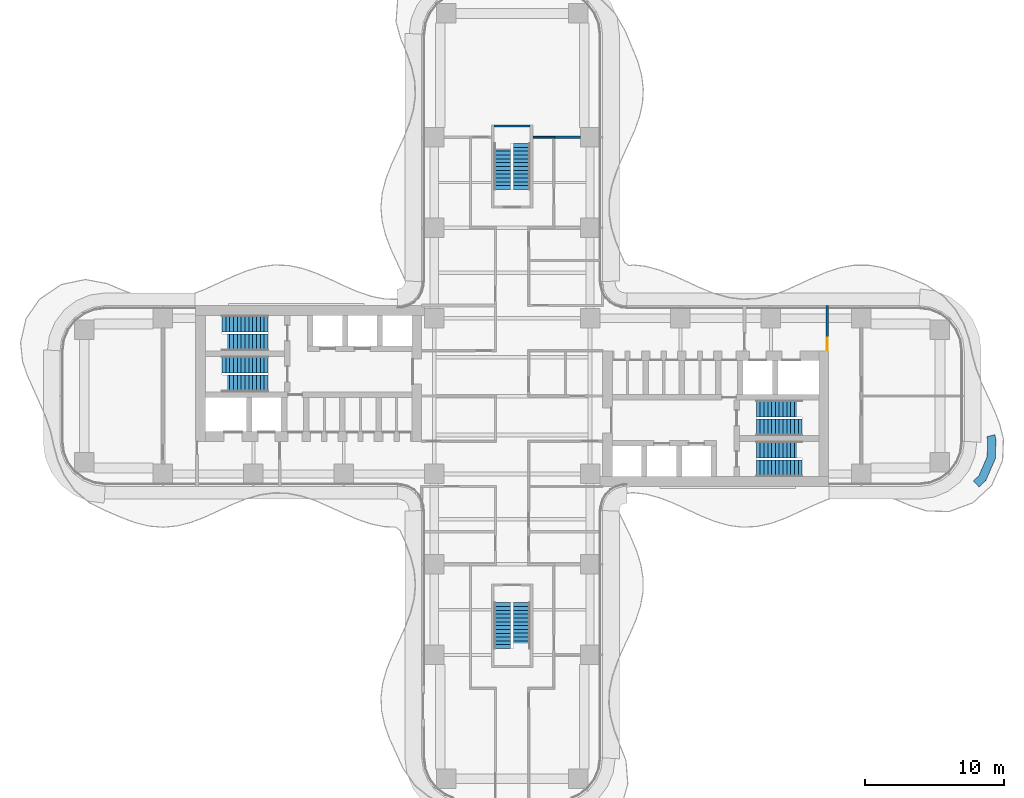
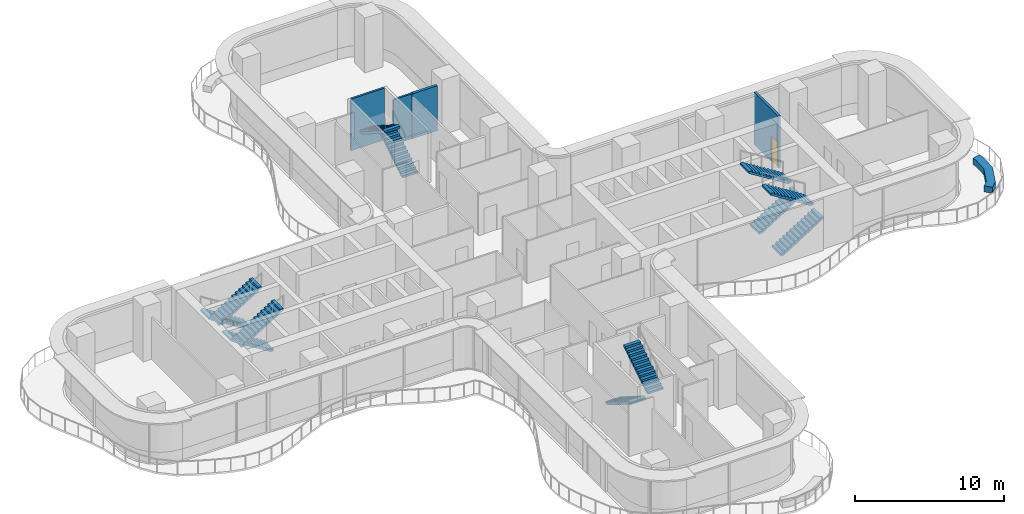
# One storey, part 20 of 22: 12 stair flights, 5 walls, 1 door, 1 opening, 6 elements without a shape of their own.
"""IFC4 building model written with IfcOpenShell, lengths in metres."""

from ifc_helpers import new_model, si_unit, direction, frame, frame_2d, origin, place, context, subcontext, project, spatial, polyline, rectangle, outline, extrude, source, transform, mapped, material, layer, layer_set, type_object, element, fill, aggregate, save


model = new_model("IFC4")

# Units and contexts
model_context = context("Model", 3, precision=1e-05, world=origin(), true_north=direction((0.0, 1.0)))
body_context = subcontext(model_context, "Body", "Model", "MODEL_VIEW")
ifc_project = project(units=[si_unit("LENGTHUNIT", "METRE"), si_unit("AREAUNIT", "SQUARE_METRE"), si_unit("VOLUMEUNIT", "CUBIC_METRE"), si_unit("PLANEANGLEUNIT", "RADIAN"), si_unit("MASSUNIT", "GRAM", prefix="KILO")], contexts=[model_context])

# Site, building, storey
site_placement = place(None, origin())
site = spatial("IfcSite", under=ifc_project, at=site_placement, CompositionType="ELEMENT")
building_placement = place(site_placement, origin())
building = spatial("IfcBuilding", under=site, at=building_placement, Name="Trellis Farm Tower", CompositionType="ELEMENT")
storey_placement = place(building_placement, frame((0.0, 0.0, 52.0)))
storey = spatial("IfcBuildingStorey", under=building, at=storey_placement, Name="L10", CompositionType="ELEMENT", Elevation=52.0)

# Wall
ifc_material_1 = material(Name="Sandstone faced masonry planter", Category="masonry")
ifc_layer_1 = layer(ifc_material_1, 0.60009765625)
ifc_layer_set_1 = layer_set([ifc_layer_1], Name="PLANTER BED 600")
wall_type_1 = type_object("IfcWallType", Name="PLANTER BED 600", PredefinedType="USERDEFINED", material=ifc_layer_set_1)
placement = place(storey_placement, origin())
element("IfcWall", 1, at=placement, inside=storey, type_object=wall_type_1, Name="PLANTER bed", ObjectType="PLANTER", PredefinedType="USERDEFINED", context=body_context, shape_type="SweptSolid", body=[
    extrude(outline(polyline([(34.734619140625, -4.50341796875), (34.04541015625, -6.08642578125), (33.555908203125, -6.5380859375), (33.14892578125, -6.097412109375), (33.545654296875, -5.731201171875), (34.138427734375, -4.369384765625), (34.17626953125, -3.1826171875), (34.109619140625, -2.92822265625), (34.690185546875, -2.776611328125), (34.77880859375, -3.114990234375), (34.734619140625, -4.50341796875)])), origin(), (0.0, 0.0, 1.0), 0.5),
])

# Wall, opening, door
ifc_material_2 = material(Name="Masonry blockwork", Category="masonry")
ifc_layer_2 = layer(ifc_material_2, 0.199951171875)
ifc_layer_set_2 = layer_set([ifc_layer_2], Name="FIRE LOBBY PARTITION 200 BLOCKWORK")
wall_type_2 = type_object("IfcWallType", Name="FIRE LOBBY PARTITION 200 BLOCKWORK", PredefinedType="PARTITIONING", material=ifc_layer_set_2)
shared_shape_1 = source(origin(), body_context, "Body", "SweptSolid", [
    extrude(rectangle(XDim=3.25, YDim=0.199951171875, at=frame_2d((1.625, 0.0))), origin(), (0.0, 0.0, 1.0), 4.25),
])
wall_2_placement = place(storey_placement, frame((22.64990234375, 3.25, 0.0), z_axis=(0.0, 0.0, 1.0), x_axis=(0.0, 1.0, 0.0)))
wall_2 = element("IfcWall", 2, at=wall_2_placement, inside=storey, type_object=wall_type_2, Name="Fire-fighting lobby partition", PredefinedType="PARTITIONING", context=body_context, shape_type="MappedRepresentation", body=[
    mapped(shared_shape_1, transform((0.0, 0.0, 0.0))),
])
shared_shape_2 = source(origin(), body_context, "Body", "SweptSolid", [
    extrude(rectangle(XDim=0.89990234375, YDim=2.10009765625, at=frame_2d((0.449951171875, 1.050048828125))), frame((0.0, 0.110107421875, 0.0), z_axis=(0.0, -1.0, 0.0), x_axis=(1.0, 0.0, 0.0)), (0.0, 0.0, 1.0), 0.22021484375),
])
opening_placement = place(wall_2_placement, frame((0.050048828125, 0.0, 0.0)))
opening = element("IfcOpeningElement", 3, at=opening_placement, cuts=wall_2, Name="Opening DC8", PredefinedType="OPENING", context=body_context, shape_type="MappedRepresentation", body=[
    mapped(shared_shape_2, transform((0.0, 0.0, 0.0))),
])
ifc_material_3 = material(Name="Steel", Category="steel")
door_type = type_object("IfcDoorType", Name="CORE FIRE DOOR 900 X 2100", OperationType="NOTDEFINED", PredefinedType="DOOR", material=ifc_material_3)
shared_shape_3 = source(origin(), body_context, "Body", "SweptSolid", [
    extrude(rectangle(XDim=0.89990234375, YDim=2.10009765625, at=frame_2d((0.449951171875, 1.050048828125))), frame((0.0, 0.02490234375, 0.0), z_axis=(0.0, -1.0, 0.0), x_axis=(1.0, 0.0, 0.0)), (0.0, 0.0, 1.0), 0.050048828125),
])
door_placement = place(opening_placement, origin())
door = element("IfcDoor", 4, at=door_placement, inside=storey, type_object=door_type, Name="Core door", OperationType="SINGLE_SWING_RIGHT", OverallHeight=2.10009765625, OverallWidth=0.89990234375, PredefinedType="DOOR", context=body_context, shape_type="MappedRepresentation", body=[
    mapped(shared_shape_3, transform((0.0, 0.0, 0.0))),
])
fill(opening, door)

# Walls
ifc_material_4 = material(Name="Concrete C80/95", Category="concrete")
ifc_layer_3 = layer(ifc_material_4, 0.14990234375)
ifc_layer_set_3 = layer_set([ifc_layer_3], Name="CORE STAIR ENCLOSURE WALL 150 CONCRETE C80/95")
wall_type_3 = type_object("IfcWallType", Name="CORE STAIR ENCLOSURE WALL 150 CONCRETE C80/95", PredefinedType="SHEAR", material=ifc_layer_set_3)
shared_shape_4 = source(origin(), body_context, "Body", "SweptSolid", [
    extrude(rectangle(XDim=2.60009765625, YDim=0.14990234375, at=frame_2d((1.300048828125, 0.0))), origin(), (0.0, 0.0, 1.0), 4.25),
])
wall_3_placement = place(storey_placement, frame((-1.300048828125, 19.425048828125, 0.0), z_axis=(0.0, 0.0, 1.0), x_axis=(1.0, 0.0, 0.0)))
element("IfcWall", 5, at=wall_3_placement, inside=storey, type_object=wall_type_3, Name="Stair enclosure wall", PredefinedType="SHEAR", context=body_context, shape_type="MappedRepresentation", body=[
    mapped(shared_shape_4, transform((0.0, 0.0, 0.0))),
])
ifc_material_5 = material(Name="Plasterboard on steel studs, mineral wool", Category="steel")
ifc_layer_4 = layer(ifc_material_5, 0.125)
ifc_layer_set_4 = layer_set([ifc_layer_4], Name="PARTITION 125 STUD EI 60")
wall_type_4 = type_object("IfcWallType", Name="PARTITION 125 STUD EI 60", PredefinedType="PARTITIONING", material=ifc_layer_set_4)
shared_shape_5 = source(origin(), body_context, "Body", "SweptSolid", [
    extrude(rectangle(XDim=1.5625, YDim=0.125, at=frame_2d((0.78125, 0.0))), origin(), (0.0, 0.0, 1.0), 3.69677734375),
])
wall_4_placement = place(storey_placement, frame((1.5, 18.60009765625, 0.0), z_axis=(0.0, 0.0, 1.0), x_axis=(1.0, 0.0, 0.0)))
element("IfcWall", 6, at=wall_4_placement, inside=storey, type_object=wall_type_4, Name="Partition PW1", PredefinedType="PARTITIONING", context=body_context, shape_type="MappedRepresentation", body=[
    mapped(shared_shape_5, transform((0.0, 0.0, 0.0))),
])
ifc_material_6 = material(Name="Lightweight blockwork, plastered", Category="masonry")
ifc_layer_5 = layer(ifc_material_6, 0.199951171875)
ifc_layer_set_5 = layer_set([ifc_layer_5], Name="BLOCK WALL 200 EI 120")
wall_type_5 = type_object("IfcWallType", Name="BLOCK WALL 200 EI 120", PredefinedType="PARTITIONING", material=ifc_layer_set_5)
shared_shape_6 = source(origin(), body_context, "Body", "SweptSolid", [
    extrude(rectangle(XDim=1.96240234375, YDim=0.199951171875, at=frame_2d((0.981201171875, 0.0))), origin(), (0.0, 0.0, 1.0), 3.69677734375),
])
wall_5_placement = place(storey_placement, frame((2.9375, 18.60009765625, 0.0), z_axis=(0.0, 0.0, 1.0), x_axis=(1.0, 0.0, 0.0)))
element("IfcWall", 7, at=wall_5_placement, inside=storey, type_object=wall_type_5, Name="Partition PW3", PredefinedType="PARTITIONING", context=body_context, shape_type="MappedRepresentation", body=[
    mapped(shared_shape_6, transform((0.0, 0.0, 0.0))),
])

# Stair, stair flights
ifc_material_7 = material(Name="Concrete C50/60", Category="concrete")
stair_type = type_object("IfcStairType", Name="CORE EXIT STAIR 26 RISERS 173 MM", PredefinedType="HALF_TURN_STAIR", material=ifc_material_7)
stair_1 = element("IfcStair", 8, at=placement, inside=storey, type_object=stair_type, Name="Exit stair N", PredefinedType="HALF_TURN_STAIR")
stair_flight_type = type_object("IfcStairFlightType", Name="STAIR FLIGHT 13 RISERS 173 MM", PredefinedType="STRAIGHT", material=ifc_material_7)
shared_shape_7 = source(origin(), body_context, "Body", "SweptSolid", [
    extrude(outline(polyline([(0.0, 0.0), (0.0, 0.173095703125), (0.27490234375, 0.173095703125), (0.27490234375, 0.34619140625), (0.550048828125, 0.34619140625), (0.550048828125, 0.519287109375), (0.824951171875, 0.519287109375), (0.824951171875, 0.6923828125), (1.10009765625, 0.6923828125), (1.10009765625, 0.865478515625), (1.375, 0.865478515625), (1.375, 1.03857421875), (1.64990234375, 1.03857421875), (1.64990234375, 1.21142578125), (1.925048828125, 1.21142578125), (1.925048828125, 1.384521484375), (2.199951171875, 1.384521484375), (2.199951171875, 1.5576171875), (2.47509765625, 1.5576171875), (2.47509765625, 1.730712890625), (2.75, 1.730712890625), (2.75, 1.90380859375), (3.02490234375, 1.90380859375), (3.02490234375, 2.076904296875), (3.300048828125, 2.076904296875), (3.300048828125, 2.25), (3.300048828125, 1.92333984375), (0.243896484375, 0.0), (0.0, 0.0)])), frame((0.0, 0.60009765625, 0.0), z_axis=(0.0, -1.0, 0.0), x_axis=(1.0, 0.0, 0.0)), (0.0, 0.0, 1.0), 1.199951171875),
])
stair_flight_1_placement = place(storey_placement, frame((0.699951171875, 14.85009765625, 0.0), z_axis=(0.0, 0.0, 1.0), x_axis=(0.0, 1.0, 0.0)))
stair_flight_1 = element("IfcStairFlight", 9, at=stair_flight_1_placement, type_object=stair_flight_type, Name="STN flight 1", NumberOfRisers=13, NumberOfTreads=12, PredefinedType="STRAIGHT", RiserHeight=0.173076923, TreadLength=0.275, context=body_context, shape_type="MappedRepresentation", body=[
    mapped(shared_shape_7, transform((0.0, 0.0, 0.0))),
])
stair_flight_2_placement = place(storey_placement, frame((-0.699951171875, 18.14990234375, 2.25), z_axis=(0.0, 0.0, 1.0), x_axis=(0.0, -1.0, 0.0)))
stair_flight_2 = element("IfcStairFlight", 10, at=stair_flight_2_placement, type_object=stair_flight_type, Name="STN flight 2", NumberOfRisers=13, NumberOfTreads=12, PredefinedType="STRAIGHT", RiserHeight=0.173076923, TreadLength=0.275, context=body_context, shape_type="MappedRepresentation", body=[
    mapped(shared_shape_7, transform((0.0, 0.0, 0.0))),
])
aggregate(stair_1, [stair_flight_1, stair_flight_2])

stair_2 = element("IfcStair", 11, at=placement, inside=storey, type_object=stair_type, Name="Exit stair S", PredefinedType="HALF_TURN_STAIR")
stair_flight_3_placement = place(storey_placement, frame((-0.699951171875, -14.85009765625, 0.0), z_axis=(0.0, 0.0, 1.0), x_axis=(0.0, -1.0, 0.0)))
stair_flight_3 = element("IfcStairFlight", 12, at=stair_flight_3_placement, type_object=stair_flight_type, Name="STS flight 1", NumberOfRisers=13, NumberOfTreads=12, PredefinedType="STRAIGHT", RiserHeight=0.173076923, TreadLength=0.275, context=body_context, shape_type="MappedRepresentation", body=[
    mapped(shared_shape_7, transform((0.0, 0.0, 0.0))),
])
stair_flight_4_placement = place(storey_placement, frame((0.699951171875, -18.14990234375, 2.25), z_axis=(0.0, 0.0, 1.0), x_axis=(0.0, 1.0, 0.0)))
stair_flight_4 = element("IfcStairFlight", 13, at=stair_flight_4_placement, type_object=stair_flight_type, Name="STS flight 2", NumberOfRisers=13, NumberOfTreads=12, PredefinedType="STRAIGHT", RiserHeight=0.173076923, TreadLength=0.275, context=body_context, shape_type="MappedRepresentation", body=[
    mapped(shared_shape_7, transform((0.0, 0.0, 0.0))),
])
aggregate(stair_2, [stair_flight_3, stair_flight_4])

stair_3 = element("IfcStair", 14, at=placement, inside=storey, type_object=stair_type, Name="Exit stair E1", PredefinedType="HALF_TURN_STAIR")
stair_flight_5_placement = place(storey_placement, frame((17.550048828125, -5.199951171875, 0.0), z_axis=(0.0, 0.0, 1.0), x_axis=(1.0, 0.0, 0.0)))
stair_flight_5 = element("IfcStairFlight", 15, at=stair_flight_5_placement, type_object=stair_flight_type, Name="STE1 flight 1", NumberOfRisers=13, NumberOfTreads=12, PredefinedType="STRAIGHT", RiserHeight=0.173076923, TreadLength=0.275, context=body_context, shape_type="MappedRepresentation", body=[
    mapped(shared_shape_7, transform((0.0, 0.0, 0.0))),
])
stair_flight_6_placement = place(storey_placement, frame((20.85009765625, -3.85009765625, 2.25), z_axis=(0.0, 0.0, 1.0), x_axis=(-1.0, 0.0, 0.0)))
stair_flight_6 = element("IfcStairFlight", 16, at=stair_flight_6_placement, type_object=stair_flight_type, Name="STE1 flight 2", NumberOfRisers=13, NumberOfTreads=12, PredefinedType="STRAIGHT", RiserHeight=0.173076923, TreadLength=0.275, context=body_context, shape_type="MappedRepresentation", body=[
    mapped(shared_shape_7, transform((0.0, 0.0, 0.0))),
])
aggregate(stair_3, [stair_flight_5, stair_flight_6])

stair_4 = element("IfcStair", 17, at=placement, inside=storey, type_object=stair_type, Name="Exit stair E2", PredefinedType="HALF_TURN_STAIR")
stair_flight_7_placement = place(storey_placement, frame((17.550048828125, -2.25, 0.0), z_axis=(0.0, 0.0, 1.0), x_axis=(1.0, 0.0, 0.0)))
stair_flight_7 = element("IfcStairFlight", 18, at=stair_flight_7_placement, type_object=stair_flight_type, Name="STE2 flight 1", NumberOfRisers=13, NumberOfTreads=12, PredefinedType="STRAIGHT", RiserHeight=0.173076923, TreadLength=0.275, context=body_context, shape_type="MappedRepresentation", body=[
    mapped(shared_shape_7, transform((0.0, 0.0, 0.0))),
])
stair_flight_8_placement = place(storey_placement, frame((20.85009765625, -0.89990234375, 2.25), z_axis=(0.0, 0.0, 1.0), x_axis=(-1.0, 0.0, 0.0)))
stair_flight_8 = element("IfcStairFlight", 19, at=stair_flight_8_placement, type_object=stair_flight_type, Name="STE2 flight 2", NumberOfRisers=13, NumberOfTreads=12, PredefinedType="STRAIGHT", RiserHeight=0.173076923, TreadLength=0.275, context=body_context, shape_type="MappedRepresentation", body=[
    mapped(shared_shape_7, transform((0.0, 0.0, 0.0))),
])
aggregate(stair_4, [stair_flight_7, stair_flight_8])

stair_5 = element("IfcStair", 20, at=placement, inside=storey, type_object=stair_type, Name="Exit stair W1", PredefinedType="HALF_TURN_STAIR")
stair_flight_9_placement = place(storey_placement, frame((-17.550048828125, 5.199951171875, 0.0), z_axis=(0.0, 0.0, 1.0), x_axis=(-1.0, 0.0, 0.0)))
stair_flight_9 = element("IfcStairFlight", 21, at=stair_flight_9_placement, type_object=stair_flight_type, Name="STW1 flight 1", NumberOfRisers=13, NumberOfTreads=12, PredefinedType="STRAIGHT", RiserHeight=0.173076923, TreadLength=0.275, context=body_context, shape_type="MappedRepresentation", body=[
    mapped(shared_shape_7, transform((0.0, 0.0, 0.0))),
])
stair_flight_10_placement = place(storey_placement, frame((-20.85009765625, 3.85009765625, 2.25), z_axis=(0.0, 0.0, 1.0), x_axis=(1.0, 0.0, 0.0)))
stair_flight_10 = element("IfcStairFlight", 22, at=stair_flight_10_placement, type_object=stair_flight_type, Name="STW1 flight 2", NumberOfRisers=13, NumberOfTreads=12, PredefinedType="STRAIGHT", RiserHeight=0.173076923, TreadLength=0.275, context=body_context, shape_type="MappedRepresentation", body=[
    mapped(shared_shape_7, transform((0.0, 0.0, 0.0))),
])
aggregate(stair_5, [stair_flight_9, stair_flight_10])

stair_6 = element("IfcStair", 23, at=placement, inside=storey, type_object=stair_type, Name="Exit stair W2", PredefinedType="HALF_TURN_STAIR")
stair_flight_11_placement = place(storey_placement, frame((-17.550048828125, 2.25, 0.0), z_axis=(0.0, 0.0, 1.0), x_axis=(-1.0, 0.0, 0.0)))
stair_flight_11 = element("IfcStairFlight", 24, at=stair_flight_11_placement, type_object=stair_flight_type, Name="STW2 flight 1", NumberOfRisers=13, NumberOfTreads=12, PredefinedType="STRAIGHT", RiserHeight=0.173076923, TreadLength=0.275, context=body_context, shape_type="MappedRepresentation", body=[
    mapped(shared_shape_7, transform((0.0, 0.0, 0.0))),
])
stair_flight_12_placement = place(storey_placement, frame((-20.85009765625, 0.89990234375, 2.25), z_axis=(0.0, 0.0, 1.0), x_axis=(1.0, 0.0, 0.0)))
stair_flight_12 = element("IfcStairFlight", 25, at=stair_flight_12_placement, type_object=stair_flight_type, Name="STW2 flight 2", NumberOfRisers=13, NumberOfTreads=12, PredefinedType="STRAIGHT", RiserHeight=0.173076923, TreadLength=0.275, context=body_context, shape_type="MappedRepresentation", body=[
    mapped(shared_shape_7, transform((0.0, 0.0, 0.0))),
])
aggregate(stair_6, [stair_flight_11, stair_flight_12])

save(model, "model.ifc")
